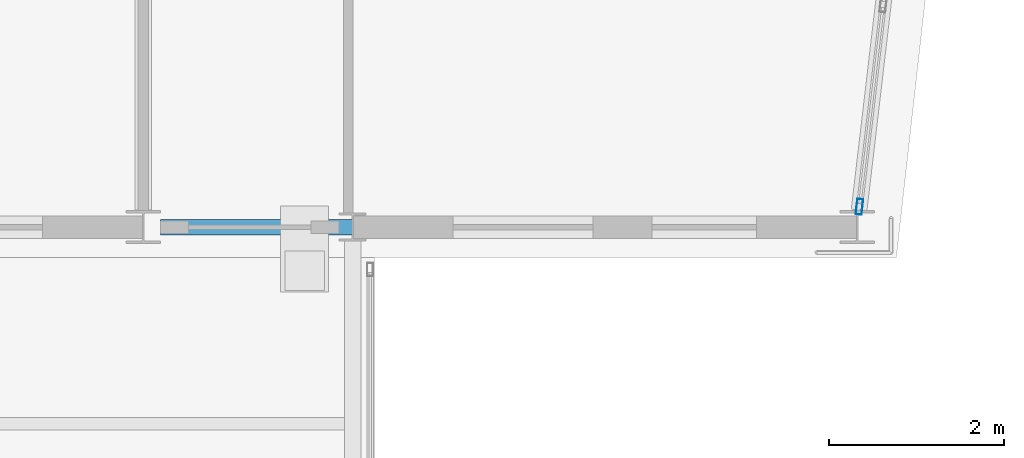
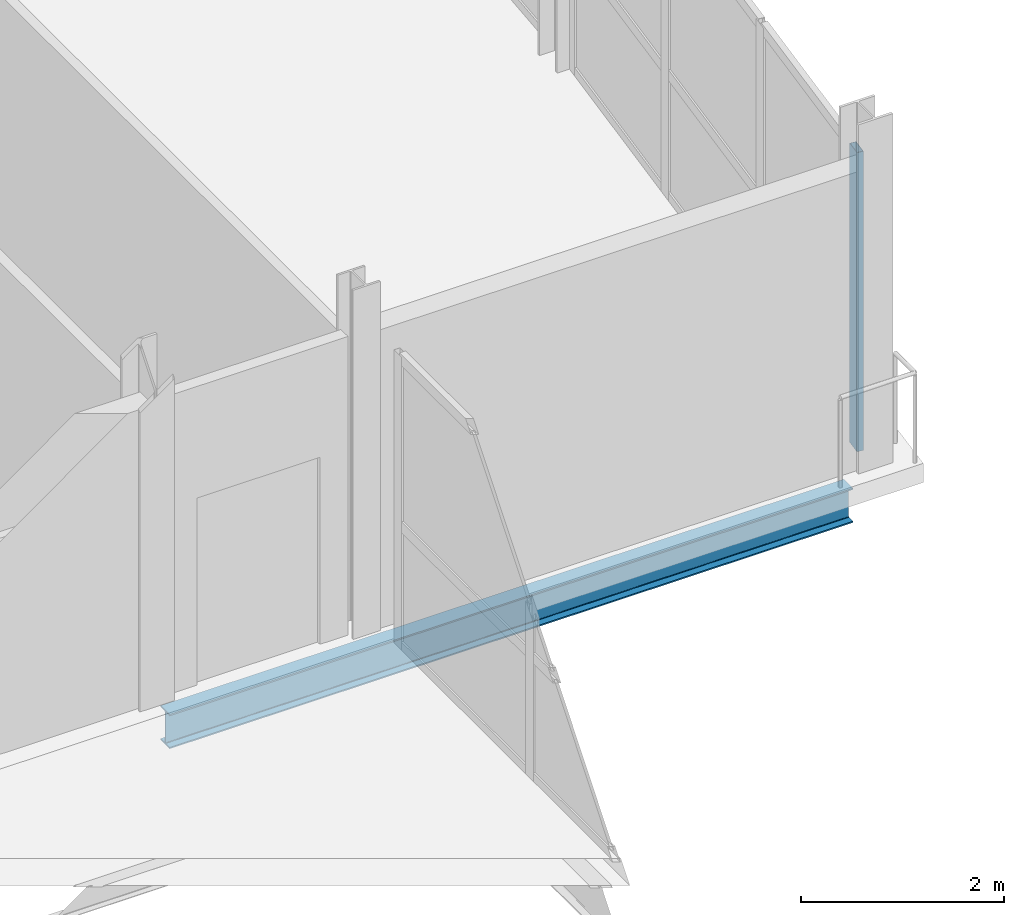
# One storey, part 21 of 60: 1 beam, 1 member, 1 element without a shape of its own.
"""IFC4 building model written with IfcOpenShell, lengths in metres."""

from ifc_helpers import new_model, si_unit, direction, frame, origin, origin_2d, place, context, subcontext, project, spatial, hollow_rectangle, i_section, extrude, material, layer, layer_set, material_profile, profile_set, type_object, element, aggregate, save


model = new_model("IFC4")

# Units and contexts
model_context = context("Model", 3, precision=1e-05, world=origin(), true_north=direction((0.0, 1.0)))
body_context = subcontext(model_context, "Body", "Model", "MODEL_VIEW")
ifc_project = project(units=[si_unit("LENGTHUNIT", "METRE"), si_unit("AREAUNIT", "SQUARE_METRE"), si_unit("VOLUMEUNIT", "CUBIC_METRE"), si_unit("PLANEANGLEUNIT", "RADIAN"), si_unit("MASSUNIT", "GRAM", prefix="KILO")], contexts=[model_context])

# Site, building, storey
site_placement = place(None, origin())
site = spatial("IfcSite", under=ifc_project, at=site_placement, CompositionType="ELEMENT")
building_placement = place(site_placement, origin())
building = spatial("IfcBuilding", under=site, at=building_placement, Name="Quillay Park Conservatory", CompositionType="ELEMENT")
storey_placement = place(building_placement, frame((0.0, 0.0, 9.89990234375)))
storey = spatial("IfcBuildingStorey", under=building, at=storey_placement, Name="L02", CompositionType="ELEMENT", Elevation=9.89990234375)

# Curtain wall, member
ifc_material_1 = material(Name="Thermally Broken Anodised Aluminium 6063-T6", Category="aluminium")
ifc_layer = layer(ifc_material_1, 0.179931640625)
ifc_layer_set = layer_set([ifc_layer], Name="UNITISED CURTAIN WALL TOWER (Thermally Broken Anodised Aluminium 6063-T6)")
curtain_wall_type = type_object("IfcCurtainWallType", Name="UNITISED CURTAIN WALL TOWER", PredefinedType="USERDEFINED", material=ifc_layer_set)
curtain_wall_placement = place(storey_placement, origin())
curtain_wall = element("IfcCurtainWall", 1, at=curtain_wall_placement, inside=storey, type_object=curtain_wall_type, Name="L02 Unitised Curtain Wall 019", ObjectType="UNITISED CURTAIN WALL", PredefinedType="USERDEFINED")
ifc_material_2 = material(Name="Thermally Broken Anodised Aluminium 6063-T6", Category="aluminium")
ifc_material_profile_1 = material_profile(ifc_material_2, hollow_rectangle(XDim=0.070068359375, YDim=0.179931640625, WallThickness=0.00390625, at=origin_2d()), Name="AL70x180x4")
ifc_profile_set_1 = profile_set([ifc_material_profile_1], Name="Thermally Broken Anodised Aluminium 6063-T6")
member_type = type_object("IfcMemberType", Name="CURTAIN WALL MULLION 70 X180", PredefinedType="MULLION", material=ifc_profile_set_1)
member_placement = place(storey_placement, frame((27.952392578125, 63.283447265625, 0.0), z_axis=(0.0, 0.0, 1.0), x_axis=(0.993172502804, -0.116654959918, 0.0)))
member = element("IfcMember", 2, at=member_placement, type_object=member_type, Name="CW-T1 mullion 4", PredefinedType="MULLION", context=body_context, shape_type="SweptSolid", body=[
    extrude(hollow_rectangle(XDim=0.070068359375, YDim=0.179931640625, WallThickness=0.00390625, at=origin_2d()), origin(), (0.0, 0.0, 1.0), 3.59912109375),
])
aggregate(curtain_wall, [member])

# Beam
ifc_material_3 = material(Name="Steel ASTM A992 Grade 50", Category="steel")
ifc_material_profile_2 = material_profile(ifc_material_3, i_section(OverallWidth=0.179931640625, OverallDepth=0.4130859375, WebThickness=0.009765625, FlangeThickness=0.01611328125, FilletRadius=0.011962890625, at=origin_2d()), Name="W410x74")
ifc_profile_set_2 = profile_set([ifc_material_profile_2], Name="Steel ASTM A992 Grade 50")
beam_type = type_object("IfcBeamType", Name="PERIMETER SPANDREL BEAM W410 X74", PredefinedType="SPANDREL", material=ifc_profile_set_2)
beam_placement = place(storey_placement, frame((19.949462890625, 63.050048828125, -0.4365234375), z_axis=(1.0, 0.0, 0.0), x_axis=(0.0, 1.0, 0.0)))
element("IfcBeam", 3, at=beam_placement, inside=storey, type_object=beam_type, Name="L02 beam BM-SP-0178", PredefinedType="SPANDREL", context=body_context, shape_type="SweptSolid", body=[
    extrude(i_section(OverallWidth=0.179931640625, OverallDepth=0.4130859375, WebThickness=0.009765625, FlangeThickness=0.01611328125, FilletRadius=0.011962890625, at=origin_2d()), origin(), (0.0, 0.0, 1.0), 7.776123046875),
])

save(model, "model.ifc")
